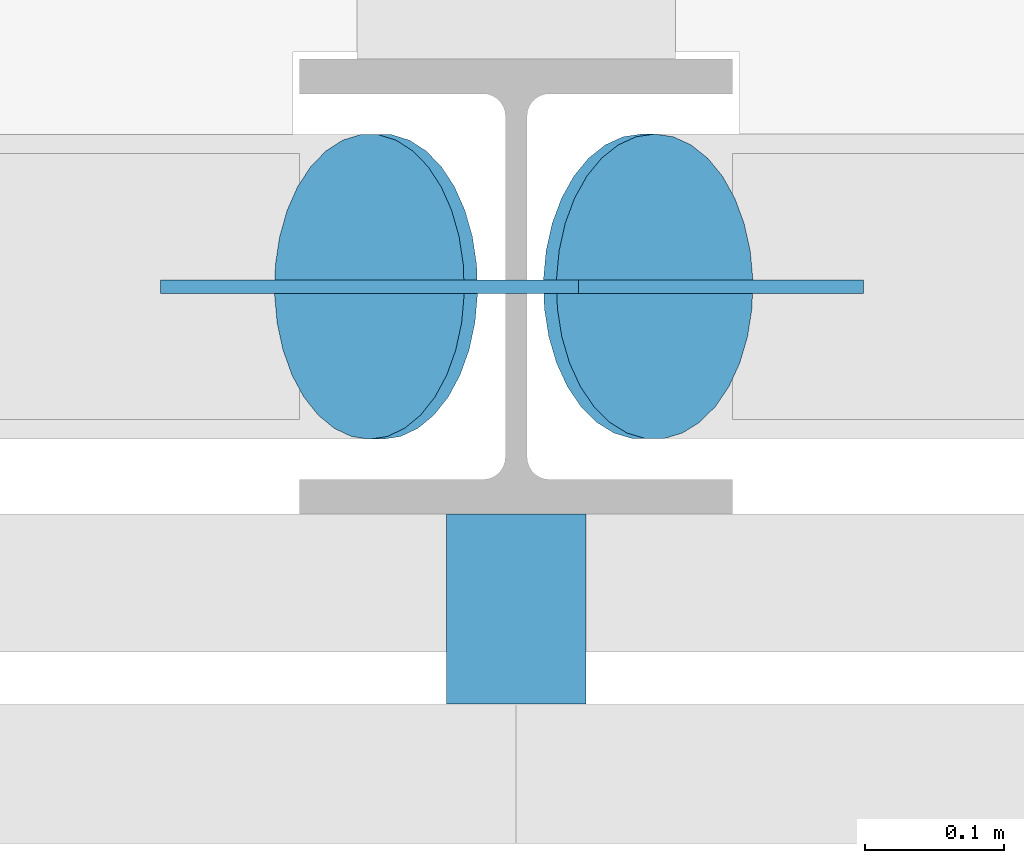
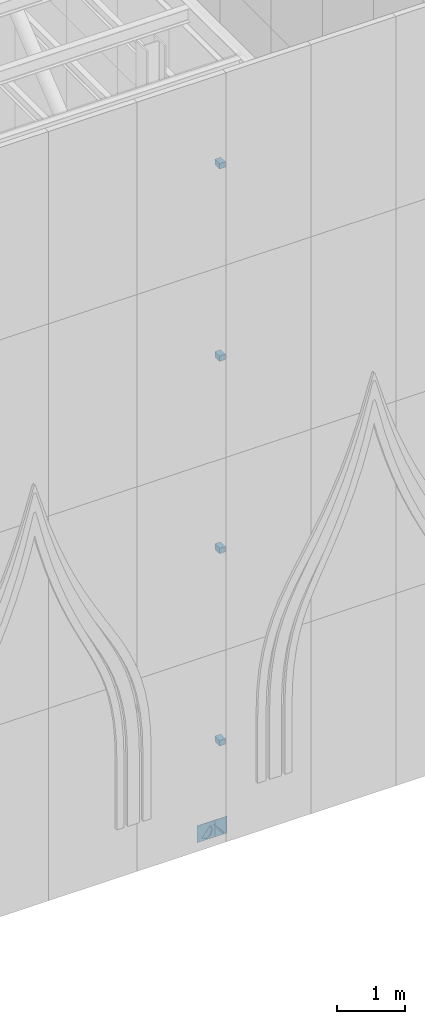
# One storey, part 17 of 43: 8 discrete accessories.
"""IFC4 building model written with IfcOpenShell, lengths in metres."""

from ifc_helpers import new_model, si_unit, direction, frame, origin, origin_2d, place, context, subcontext, project, spatial, rectangle, circle, extrude, material, material_profile, profile_set, type_object, element, save


model = new_model("IFC4")

# Units and contexts
model_context = context("Model", 3, precision=1e-05, world=origin(), true_north=direction((0.0, 1.0)))
body_context = subcontext(model_context, "Body", "Model", "MODEL_VIEW")
ifc_project = project(units=[si_unit("LENGTHUNIT", "METRE"), si_unit("AREAUNIT", "SQUARE_METRE"), si_unit("VOLUMEUNIT", "CUBIC_METRE"), si_unit("PLANEANGLEUNIT", "RADIAN"), si_unit("MASSUNIT", "GRAM", prefix="KILO")], contexts=[model_context])

# Site, building, storey
site_placement = place(None, origin())
site = spatial("IfcSite", under=ifc_project, at=site_placement, CompositionType="ELEMENT")
building_placement = place(site_placement, origin())
building = spatial("IfcBuilding", under=site, at=building_placement, Name="Saffron Lane Theatres", CompositionType="ELEMENT")
storey_placement = place(building_placement, frame((0.0, 0.0, 23.0)))
storey = spatial("IfcBuildingStorey", under=building, at=storey_placement, Name="Roof", CompositionType="ELEMENT", Elevation=23.0)

# Discrete accessories
ifc_material_1 = material(Name="Steel Grade 350", Category="steel")
ifc_material_profile_1 = material_profile(ifc_material_1, rectangle(XDim=0.300048828125, YDim=0.300048828125, at=origin_2d()))
ifc_profile_set_1 = profile_set([ifc_material_profile_1], Name="Steel Grade 350")
discrete_accessory_type_1 = type_object("IfcDiscreteAccessoryType", Name="ST-GUSSET CONNECTION PLATE", PredefinedType="BRACKET", material=ifc_profile_set_1)
for number, where, z_axis, x_axis, name in (
    (1, (41.89453125, 30.2451171875, 0.085205078125), (0.0, 1.0, 0.0), (-1.0, 0.0, 0.0), "GB109"),
    (2, (42.099365234375, 30.2451171875, 0.083740234375), (0.0, 1.0, 0.0), (-1.0, 0.0, 0.0), "GB113"),
):
    element("IfcDiscreteAccessory", number, at=place(storey_placement, frame(where, z_axis=z_axis, x_axis=x_axis)), inside=storey, type_object=discrete_accessory_type_1, Name=name, PredefinedType="BRACKET", context=body_context, shape_type="SweptSolid", body=[
        extrude(rectangle(XDim=0.300048828125, YDim=0.300048828125, at=origin_2d()), origin(), (0.0, 0.0, 1.0), 0.009765625),
    ])
ifc_material_2 = material(Name="Steel Grade 350", Category="steel")
ifc_material_profile_2 = material_profile(ifc_material_2, circle(Radius=0.109619140625, at=origin_2d()))
ifc_profile_set_2 = profile_set([ifc_material_profile_2], Name="Steel Grade 350")
discrete_accessory_type_2 = type_object("IfcDiscreteAccessoryType", Name="ST-STEEL END CAP 219.1x8.2 CHS", PredefinedType="ANCHORPLATE", material=ifc_profile_set_2)
for number, where, z_axis, x_axis, name in (
    (3, (41.904052734375, 30.25, 0.07763671875), (-0.782823254756, 0.0, 0.622244125575), (0.0, -1.0, 0.0), "EC55"),
    (4, (42.090087890625, 30.25, 0.075927734375), (0.764911198117, 0.0, 0.644135745783), (0.0, 1.0, 0.0), "EC59"),
):
    element("IfcDiscreteAccessory", number, at=place(storey_placement, frame(where, z_axis=z_axis, x_axis=x_axis)), inside=storey, type_object=discrete_accessory_type_2, Name=name, PredefinedType="ANCHORPLATE", context=body_context, shape_type="SweptSolid", body=[
        extrude(circle(Radius=0.109619140625, at=origin_2d()), origin(), (0.0, 0.0, 1.0), 0.01220703125),
    ])
for number, where, z_axis, x_axis, name in (
    (5, (42.0, 30.018310546875, 1.768798828125), (0.0, 0.0, 1.0), (1.0, 0.0, 0.0), "Tower panel bracket 17"),
    (6, (42.0, 30.018310546875, 5.206298828125), (0.0, 0.0, 1.0), (1.0, 0.0, 0.0), "Tower panel bracket 18"),
    (7, (42.0, 30.018310546875, 8.643798828125), (0.0, 0.0, 1.0), (1.0, 0.0, 0.0), "Tower panel bracket 19"),
    (8, (42.0, 30.018310546875, 12.081298828125), (0.0, 0.0, 1.0), (1.0, 0.0, 0.0), "Tower panel bracket 20"),
):
    element("IfcDiscreteAccessory", number, at=place(storey_placement, frame(where, z_axis=z_axis, x_axis=x_axis)), inside=storey, Name=name, PredefinedType="BRACKET", context=body_context, shape_type="SweptSolid", body=[
        extrude(rectangle(XDim=0.10009765625, YDim=0.136474609375, at=origin_2d()), origin(), (0.0, 0.0, 1.0), 0.10009765625),
    ])

save(model, "model.ifc")
